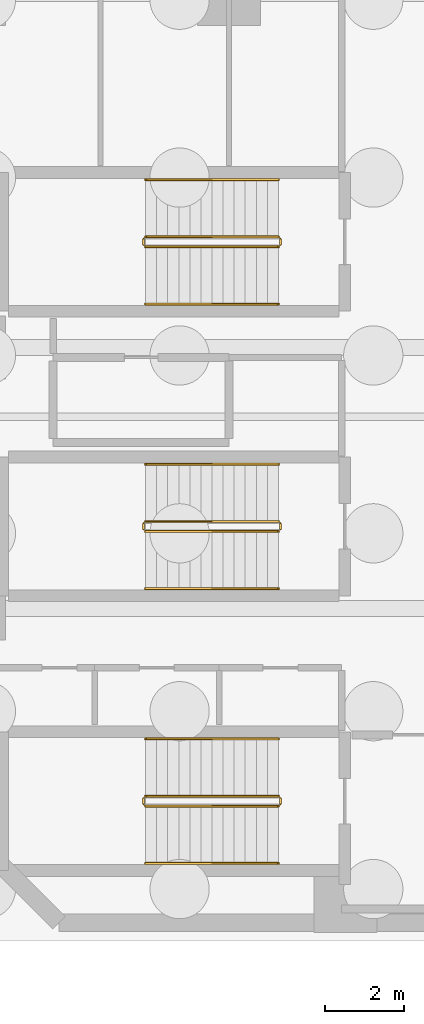
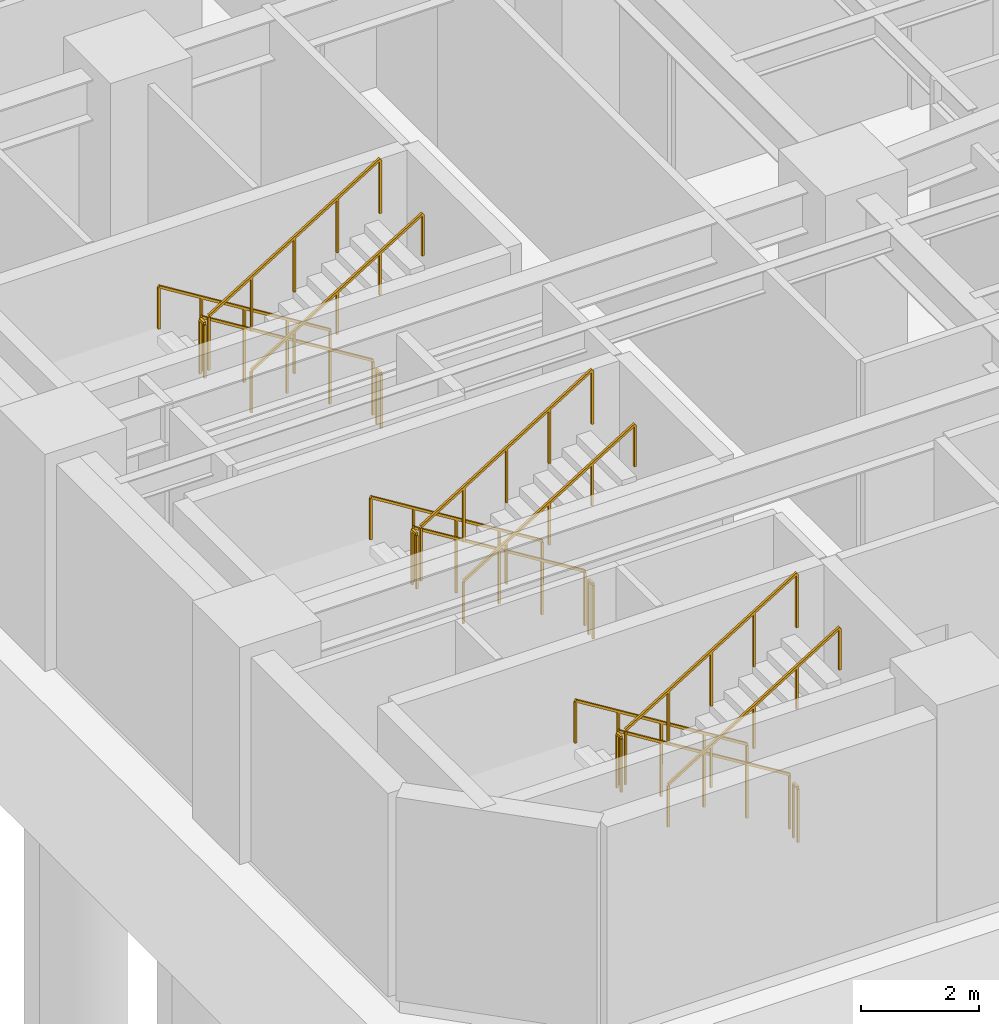
# One storey, part 6 of 10: 18 railings.
"""IFC4 building model written with IfcOpenShell, lengths in metres."""

from ifc_helpers import new_model, si_unit, direction, frame, origin, origin_2d, place, context, subcontext, project, spatial, rectangle, extrude, material, type_object, element, save


model = new_model("IFC4")

# Units and contexts
model_context = context("Model", 3, precision=1e-05, world=origin(), true_north=direction((0.0, 1.0)))
body_context = subcontext(model_context, "Body", "Model", "MODEL_VIEW")
ifc_project = project(units=[si_unit("LENGTHUNIT", "METRE"), si_unit("AREAUNIT", "SQUARE_METRE"), si_unit("VOLUMEUNIT", "CUBIC_METRE"), si_unit("PLANEANGLEUNIT", "RADIAN"), si_unit("MASSUNIT", "GRAM", prefix="KILO")], contexts=[model_context])

# Site, building, storey
site_placement = place(None, origin())
site = spatial("IfcSite", under=ifc_project, at=site_placement, CompositionType="ELEMENT")
building_placement = place(site_placement, origin())
building = spatial("IfcBuilding", under=site, at=building_placement, Name="Mawjaban Terraces University", CompositionType="ELEMENT")
storey_placement = place(building_placement, frame((0.0, 0.0, -9.0)))
storey = spatial("IfcBuildingStorey", under=building, at=storey_placement, Name="B2", CompositionType="ELEMENT", Elevation=-9.0)

# Railings
ifc_material_1 = material(Name="Brushed stainless steel 316", Category="steel")
railing_type_1 = type_object("IfcRailingType", Name="StairWallHandrail_900", PredefinedType="HANDRAIL", material=ifc_material_1)
railing_1_placement = place(storey_placement, frame((30.050048828125, 4.64990234375, 0.173095703125)))
element("IfcRailing", 1, at=railing_1_placement, inside=storey, type_object=railing_type_1, Name="B2 ST-1 stair handrail 1", PredefinedType="HANDRAIL", context=body_context, shape_type="SweptSolid", body=[
    extrude(rectangle(XDim=0.048095703125, YDim=0.048095703125, at=origin_2d()), frame((0.0, 0.0, 0.8759765625), z_axis=(-0.850623216509, 0.0, 0.525775754039), x_axis=(0.0, -1.0, 0.0)), (0.0, 0.0, 1.0), 3.9501953125),
    extrude(rectangle(XDim=0.0419921875, YDim=0.0419921875, at=origin_2d()), origin(), (0.0, 0.0, 1.0), 0.851806640625),
    extrude(rectangle(XDim=0.0419921875, YDim=0.0419921875, at=origin_2d()), frame((-0.840087890625, 0.0, 0.519287109375)), (0.0, 0.0, 1.0), 0.851806640625),
    extrude(rectangle(XDim=0.0419921875, YDim=0.0419921875, at=origin_2d()), frame((-1.68017578125, 0.0, 1.03857421875)), (0.0, 0.0, 1.0), 0.851806640625),
    extrude(rectangle(XDim=0.0419921875, YDim=0.0419921875, at=origin_2d()), frame((-2.52001953125, 0.0, 1.5576171875)), (0.0, 0.0, 1.0), 0.851806640625),
    extrude(rectangle(XDim=0.0419921875, YDim=0.0419921875, at=origin_2d()), frame((-3.360107421875, 0.0, 2.076904296875)), (0.0, 0.0, 1.0), 0.851806640625),
])
railing_2_placement = place(storey_placement, frame((26.68994140625, 1.5, 2.423095703125)))
element("IfcRailing", 2, at=railing_2_placement, inside=storey, type_object=railing_type_1, Name="B2 ST-1 stair handrail 2", PredefinedType="HANDRAIL", context=body_context, shape_type="SweptSolid", body=[
    extrude(rectangle(XDim=0.048095703125, YDim=0.048095703125, at=origin_2d()), frame((0.0, 0.0, 0.8759765625), z_axis=(0.850623216509, 0.0, 0.525775754039), x_axis=(0.0, 1.0, 0.0)), (0.0, 0.0, 1.0), 3.9501953125),
    extrude(rectangle(XDim=0.0419921875, YDim=0.0419921875, at=origin_2d()), origin(), (0.0, 0.0, 1.0), 0.851806640625),
    extrude(rectangle(XDim=0.0419921875, YDim=0.0419921875, at=origin_2d()), frame((0.840087890625, 0.0, 0.519287109375)), (0.0, 0.0, 1.0), 0.851806640625),
    extrude(rectangle(XDim=0.0419921875, YDim=0.0419921875, at=origin_2d()), frame((1.68017578125, 0.0, 1.03857421875)), (0.0, 0.0, 1.0), 0.851806640625),
    extrude(rectangle(XDim=0.0419921875, YDim=0.0419921875, at=origin_2d()), frame((2.52001953125, 0.0, 1.5576171875)), (0.0, 0.0, 1.0), 0.851806640625),
    extrude(rectangle(XDim=0.0419921875, YDim=0.0419921875, at=origin_2d()), frame((3.360107421875, 0.0, 2.076904296875)), (0.0, 0.0, 1.0), 0.851806640625),
])
railing_3_placement = place(storey_placement, frame((30.050048828125, 18.800048828125, 0.173095703125)))
element("IfcRailing", 3, at=railing_3_placement, inside=storey, type_object=railing_type_1, Name="B2 ST-2 stair handrail 1", PredefinedType="HANDRAIL", context=body_context, shape_type="SweptSolid", body=[
    extrude(rectangle(XDim=0.048095703125, YDim=0.048095703125, at=origin_2d()), frame((0.0, 0.0, 0.8759765625), z_axis=(-0.850623216509, 0.0, 0.525775754039), x_axis=(0.0, -1.0, 0.0)), (0.0, 0.0, 1.0), 3.9501953125),
    extrude(rectangle(XDim=0.0419921875, YDim=0.0419921875, at=origin_2d()), origin(), (0.0, 0.0, 1.0), 0.851806640625),
    extrude(rectangle(XDim=0.0419921875, YDim=0.0419921875, at=origin_2d()), frame((-0.840087890625, 0.0, 0.519287109375)), (0.0, 0.0, 1.0), 0.851806640625),
    extrude(rectangle(XDim=0.0419921875, YDim=0.0419921875, at=origin_2d()), frame((-1.68017578125, 0.0, 1.03857421875)), (0.0, 0.0, 1.0), 0.851806640625),
    extrude(rectangle(XDim=0.0419921875, YDim=0.0419921875, at=origin_2d()), frame((-2.52001953125, 0.0, 1.5576171875)), (0.0, 0.0, 1.0), 0.851806640625),
    extrude(rectangle(XDim=0.0419921875, YDim=0.0419921875, at=origin_2d()), frame((-3.360107421875, 0.0, 2.076904296875)), (0.0, 0.0, 1.0), 0.851806640625),
])
railing_4_placement = place(storey_placement, frame((26.68994140625, 15.64990234375, 2.423095703125)))
element("IfcRailing", 4, at=railing_4_placement, inside=storey, type_object=railing_type_1, Name="B2 ST-2 stair handrail 2", PredefinedType="HANDRAIL", context=body_context, shape_type="SweptSolid", body=[
    extrude(rectangle(XDim=0.048095703125, YDim=0.048095703125, at=origin_2d()), frame((0.0, 0.0, 0.8759765625), z_axis=(0.850623216509, 0.0, 0.525775754039), x_axis=(0.0, 1.0, 0.0)), (0.0, 0.0, 1.0), 3.9501953125),
    extrude(rectangle(XDim=0.0419921875, YDim=0.0419921875, at=origin_2d()), origin(), (0.0, 0.0, 1.0), 0.851806640625),
    extrude(rectangle(XDim=0.0419921875, YDim=0.0419921875, at=origin_2d()), frame((0.840087890625, 0.0, 0.519287109375)), (0.0, 0.0, 1.0), 0.851806640625),
    extrude(rectangle(XDim=0.0419921875, YDim=0.0419921875, at=origin_2d()), frame((1.68017578125, 0.0, 1.03857421875)), (0.0, 0.0, 1.0), 0.851806640625),
    extrude(rectangle(XDim=0.0419921875, YDim=0.0419921875, at=origin_2d()), frame((2.52001953125, 0.0, 1.5576171875)), (0.0, 0.0, 1.0), 0.851806640625),
    extrude(rectangle(XDim=0.0419921875, YDim=0.0419921875, at=origin_2d()), frame((3.360107421875, 0.0, 2.076904296875)), (0.0, 0.0, 1.0), 0.851806640625),
])
railing_5_placement = place(storey_placement, frame((30.050048828125, 11.60009765625, 0.173095703125)))
element("IfcRailing", 5, at=railing_5_placement, inside=storey, type_object=railing_type_1, Name="B2 ST-3 stair handrail 1", PredefinedType="HANDRAIL", context=body_context, shape_type="SweptSolid", body=[
    extrude(rectangle(XDim=0.048095703125, YDim=0.048095703125, at=origin_2d()), frame((0.0, 0.0, 0.8759765625), z_axis=(-0.850623216509, 0.0, 0.525775754039), x_axis=(0.0, -1.0, 0.0)), (0.0, 0.0, 1.0), 3.9501953125),
    extrude(rectangle(XDim=0.0419921875, YDim=0.0419921875, at=origin_2d()), origin(), (0.0, 0.0, 1.0), 0.851806640625),
    extrude(rectangle(XDim=0.0419921875, YDim=0.0419921875, at=origin_2d()), frame((-0.840087890625, 0.0, 0.519287109375)), (0.0, 0.0, 1.0), 0.851806640625),
    extrude(rectangle(XDim=0.0419921875, YDim=0.0419921875, at=origin_2d()), frame((-1.68017578125, 0.0, 1.03857421875)), (0.0, 0.0, 1.0), 0.851806640625),
    extrude(rectangle(XDim=0.0419921875, YDim=0.0419921875, at=origin_2d()), frame((-2.52001953125, 0.0, 1.5576171875)), (0.0, 0.0, 1.0), 0.851806640625),
    extrude(rectangle(XDim=0.0419921875, YDim=0.0419921875, at=origin_2d()), frame((-3.360107421875, 0.0, 2.076904296875)), (0.0, 0.0, 1.0), 0.851806640625),
])
railing_6_placement = place(storey_placement, frame((26.68994140625, 8.449951171875, 2.423095703125)))
element("IfcRailing", 6, at=railing_6_placement, inside=storey, type_object=railing_type_1, Name="B2 ST-3 stair handrail 2", PredefinedType="HANDRAIL", context=body_context, shape_type="SweptSolid", body=[
    extrude(rectangle(XDim=0.048095703125, YDim=0.048095703125, at=origin_2d()), frame((0.0, 0.0, 0.8759765625), z_axis=(0.850623216509, 0.0, 0.525775754039), x_axis=(0.0, 1.0, 0.0)), (0.0, 0.0, 1.0), 3.9501953125),
    extrude(rectangle(XDim=0.0419921875, YDim=0.0419921875, at=origin_2d()), origin(), (0.0, 0.0, 1.0), 0.851806640625),
    extrude(rectangle(XDim=0.0419921875, YDim=0.0419921875, at=origin_2d()), frame((0.840087890625, 0.0, 0.519287109375)), (0.0, 0.0, 1.0), 0.851806640625),
    extrude(rectangle(XDim=0.0419921875, YDim=0.0419921875, at=origin_2d()), frame((1.68017578125, 0.0, 1.03857421875)), (0.0, 0.0, 1.0), 0.851806640625),
    extrude(rectangle(XDim=0.0419921875, YDim=0.0419921875, at=origin_2d()), frame((2.52001953125, 0.0, 1.5576171875)), (0.0, 0.0, 1.0), 0.851806640625),
    extrude(rectangle(XDim=0.0419921875, YDim=0.0419921875, at=origin_2d()), frame((3.360107421875, 0.0, 2.076904296875)), (0.0, 0.0, 1.0), 0.851806640625),
])
ifc_material_2 = material(Name="Galvanised painted steel S355", Category="steel")
railing_type_2 = type_object("IfcRailingType", Name="StairWellGuard_1150", PredefinedType="BALUSTRADE", material=ifc_material_2)
railing_7_placement = place(storey_placement, frame((30.050048828125, 3.199951171875, 0.173095703125)))
element("IfcRailing", 7, at=railing_7_placement, inside=storey, type_object=railing_type_2, Name="B2 ST-1 stair guard 1", PredefinedType="BALUSTRADE", context=body_context, shape_type="SweptSolid", body=[
    extrude(rectangle(XDim=0.048095703125, YDim=0.048095703125, at=origin_2d()), frame((0.0, 0.0, 1.1259765625), z_axis=(-0.850623216509, 0.0, 0.525775754039), x_axis=(0.0, -1.0, 0.0)), (0.0, 0.0, 1.0), 3.9501953125),
    extrude(rectangle(XDim=0.0419921875, YDim=0.0419921875, at=origin_2d()), origin(), (0.0, 0.0, 1.0), 1.101806640625),
    extrude(rectangle(XDim=0.0419921875, YDim=0.0419921875, at=origin_2d()), frame((-0.840087890625, 0.0, 0.519287109375)), (0.0, 0.0, 1.0), 1.101806640625),
    extrude(rectangle(XDim=0.0419921875, YDim=0.0419921875, at=origin_2d()), frame((-1.68017578125, 0.0, 1.03857421875)), (0.0, 0.0, 1.0), 1.101806640625),
    extrude(rectangle(XDim=0.0419921875, YDim=0.0419921875, at=origin_2d()), frame((-2.52001953125, 0.0, 1.5576171875)), (0.0, 0.0, 1.0), 1.101806640625),
    extrude(rectangle(XDim=0.0419921875, YDim=0.0419921875, at=origin_2d()), frame((-3.360107421875, 0.0, 2.076904296875)), (0.0, 0.0, 1.0), 1.101806640625),
])
railing_8_placement = place(storey_placement, frame((26.639892578125, 3.14990234375, 2.25)))
element("IfcRailing", 8, at=railing_8_placement, inside=storey, type_object=railing_type_2, Name="B2 ST-1 stair guard 2", PredefinedType="BALUSTRADE", context=body_context, shape_type="SweptSolid", body=[
    extrude(rectangle(XDim=0.048095703125, YDim=0.048095703125, at=origin_2d()), frame((0.0, 0.0, 1.1259765625), z_axis=(0.0, -1.0, 0.0), x_axis=(1.0, 0.0, 0.0)), (0.0, 0.0, 1.0), 0.14990234375),
    extrude(rectangle(XDim=0.0419921875, YDim=0.0419921875, at=origin_2d()), origin(), (0.0, 0.0, 1.0), 1.101806640625),
    extrude(rectangle(XDim=0.0419921875, YDim=0.0419921875, at=origin_2d()), frame((0.0, -0.14990234375, 0.0)), (0.0, 0.0, 1.0), 1.101806640625),
])
railing_9_placement = place(storey_placement, frame((26.68994140625, 2.949951171875, 2.423095703125)))
element("IfcRailing", 9, at=railing_9_placement, inside=storey, type_object=railing_type_2, Name="B2 ST-1 stair guard 3", PredefinedType="BALUSTRADE", context=body_context, shape_type="SweptSolid", body=[
    extrude(rectangle(XDim=0.048095703125, YDim=0.048095703125, at=origin_2d()), frame((0.0, 0.0, 1.1259765625), z_axis=(0.850623216509, 0.0, 0.525775754039), x_axis=(0.0, 1.0, 0.0)), (0.0, 0.0, 1.0), 3.9501953125),
    extrude(rectangle(XDim=0.0419921875, YDim=0.0419921875, at=origin_2d()), origin(), (0.0, 0.0, 1.0), 1.101806640625),
    extrude(rectangle(XDim=0.0419921875, YDim=0.0419921875, at=origin_2d()), frame((0.840087890625, 0.0, 0.519287109375)), (0.0, 0.0, 1.0), 1.101806640625),
    extrude(rectangle(XDim=0.0419921875, YDim=0.0419921875, at=origin_2d()), frame((1.68017578125, 0.0, 1.03857421875)), (0.0, 0.0, 1.0), 1.101806640625),
    extrude(rectangle(XDim=0.0419921875, YDim=0.0419921875, at=origin_2d()), frame((2.52001953125, 0.0, 1.5576171875)), (0.0, 0.0, 1.0), 1.101806640625),
    extrude(rectangle(XDim=0.0419921875, YDim=0.0419921875, at=origin_2d()), frame((3.360107421875, 0.0, 2.076904296875)), (0.0, 0.0, 1.0), 1.101806640625),
])
railing_10_placement = place(storey_placement, frame((30.10009765625, 3.14990234375, 0.0)))
element("IfcRailing", 10, at=railing_10_placement, inside=storey, type_object=railing_type_2, Name="B2 ST-1 stair guard 4", PredefinedType="BALUSTRADE", context=body_context, shape_type="SweptSolid", body=[
    extrude(rectangle(XDim=0.048095703125, YDim=0.048095703125, at=origin_2d()), frame((0.0, 0.0, 1.1259765625), z_axis=(0.0, -1.0, 0.0), x_axis=(1.0, 0.0, 0.0)), (0.0, 0.0, 1.0), 0.14990234375),
    extrude(rectangle(XDim=0.0419921875, YDim=0.0419921875, at=origin_2d()), origin(), (0.0, 0.0, 1.0), 1.101806640625),
    extrude(rectangle(XDim=0.0419921875, YDim=0.0419921875, at=origin_2d()), frame((0.0, -0.14990234375, 0.0)), (0.0, 0.0, 1.0), 1.101806640625),
])
railing_11_placement = place(storey_placement, frame((30.050048828125, 17.35009765625, 0.173095703125)))
element("IfcRailing", 11, at=railing_11_placement, inside=storey, type_object=railing_type_2, Name="B2 ST-2 stair guard 1", PredefinedType="BALUSTRADE", context=body_context, shape_type="SweptSolid", body=[
    extrude(rectangle(XDim=0.048095703125, YDim=0.048095703125, at=origin_2d()), frame((0.0, 0.0, 1.1259765625), z_axis=(-0.850623216509, 0.0, 0.525775754039), x_axis=(0.0, -1.0, 0.0)), (0.0, 0.0, 1.0), 3.9501953125),
    extrude(rectangle(XDim=0.0419921875, YDim=0.0419921875, at=origin_2d()), origin(), (0.0, 0.0, 1.0), 1.101806640625),
    extrude(rectangle(XDim=0.0419921875, YDim=0.0419921875, at=origin_2d()), frame((-0.840087890625, 0.0, 0.519287109375)), (0.0, 0.0, 1.0), 1.101806640625),
    extrude(rectangle(XDim=0.0419921875, YDim=0.0419921875, at=origin_2d()), frame((-1.68017578125, 0.0, 1.03857421875)), (0.0, 0.0, 1.0), 1.101806640625),
    extrude(rectangle(XDim=0.0419921875, YDim=0.0419921875, at=origin_2d()), frame((-2.52001953125, 0.0, 1.5576171875)), (0.0, 0.0, 1.0), 1.101806640625),
    extrude(rectangle(XDim=0.0419921875, YDim=0.0419921875, at=origin_2d()), frame((-3.360107421875, 0.0, 2.076904296875)), (0.0, 0.0, 1.0), 1.101806640625),
])
railing_12_placement = place(storey_placement, frame((26.639892578125, 17.300048828125, 2.25)))
element("IfcRailing", 12, at=railing_12_placement, inside=storey, type_object=railing_type_2, Name="B2 ST-2 stair guard 2", PredefinedType="BALUSTRADE", context=body_context, shape_type="SweptSolid", body=[
    extrude(rectangle(XDim=0.048095703125, YDim=0.048095703125, at=origin_2d()), frame((0.0, 0.0, 1.1259765625), z_axis=(0.0, -1.0, 0.0), x_axis=(1.0, 0.0, 0.0)), (0.0, 0.0, 1.0), 0.150146484375),
    extrude(rectangle(XDim=0.0419921875, YDim=0.0419921875, at=origin_2d()), origin(), (0.0, 0.0, 1.0), 1.101806640625),
    extrude(rectangle(XDim=0.0419921875, YDim=0.0419921875, at=origin_2d()), frame((0.0, -0.150146484375, 0.0)), (0.0, 0.0, 1.0), 1.101806640625),
])
railing_13_placement = place(storey_placement, frame((26.68994140625, 17.10009765625, 2.423095703125)))
element("IfcRailing", 13, at=railing_13_placement, inside=storey, type_object=railing_type_2, Name="B2 ST-2 stair guard 3", PredefinedType="BALUSTRADE", context=body_context, shape_type="SweptSolid", body=[
    extrude(rectangle(XDim=0.048095703125, YDim=0.048095703125, at=origin_2d()), frame((0.0, 0.0, 1.1259765625), z_axis=(0.850623216509, 0.0, 0.525775754039), x_axis=(0.0, 1.0, 0.0)), (0.0, 0.0, 1.0), 3.9501953125),
    extrude(rectangle(XDim=0.0419921875, YDim=0.0419921875, at=origin_2d()), origin(), (0.0, 0.0, 1.0), 1.101806640625),
    extrude(rectangle(XDim=0.0419921875, YDim=0.0419921875, at=origin_2d()), frame((0.840087890625, 0.0, 0.519287109375)), (0.0, 0.0, 1.0), 1.101806640625),
    extrude(rectangle(XDim=0.0419921875, YDim=0.0419921875, at=origin_2d()), frame((1.68017578125, 0.0, 1.03857421875)), (0.0, 0.0, 1.0), 1.101806640625),
    extrude(rectangle(XDim=0.0419921875, YDim=0.0419921875, at=origin_2d()), frame((2.52001953125, 0.0, 1.5576171875)), (0.0, 0.0, 1.0), 1.101806640625),
    extrude(rectangle(XDim=0.0419921875, YDim=0.0419921875, at=origin_2d()), frame((3.360107421875, 0.0, 2.076904296875)), (0.0, 0.0, 1.0), 1.101806640625),
])
railing_14_placement = place(storey_placement, frame((30.10009765625, 17.300048828125, 0.0)))
element("IfcRailing", 14, at=railing_14_placement, inside=storey, type_object=railing_type_2, Name="B2 ST-2 stair guard 4", PredefinedType="BALUSTRADE", context=body_context, shape_type="SweptSolid", body=[
    extrude(rectangle(XDim=0.048095703125, YDim=0.048095703125, at=origin_2d()), frame((0.0, 0.0, 1.1259765625), z_axis=(0.0, -1.0, 0.0), x_axis=(1.0, 0.0, 0.0)), (0.0, 0.0, 1.0), 0.150146484375),
    extrude(rectangle(XDim=0.0419921875, YDim=0.0419921875, at=origin_2d()), origin(), (0.0, 0.0, 1.0), 1.101806640625),
    extrude(rectangle(XDim=0.0419921875, YDim=0.0419921875, at=origin_2d()), frame((0.0, -0.150146484375, 0.0)), (0.0, 0.0, 1.0), 1.101806640625),
])
railing_15_placement = place(storey_placement, frame((30.050048828125, 10.14990234375, 0.173095703125)))
element("IfcRailing", 15, at=railing_15_placement, inside=storey, type_object=railing_type_2, Name="B2 ST-3 stair guard 1", PredefinedType="BALUSTRADE", context=body_context, shape_type="SweptSolid", body=[
    extrude(rectangle(XDim=0.048095703125, YDim=0.048095703125, at=origin_2d()), frame((0.0, 0.0, 1.1259765625), z_axis=(-0.850623216509, 0.0, 0.525775754039), x_axis=(0.0, -1.0, 0.0)), (0.0, 0.0, 1.0), 3.9501953125),
    extrude(rectangle(XDim=0.0419921875, YDim=0.0419921875, at=origin_2d()), origin(), (0.0, 0.0, 1.0), 1.101806640625),
    extrude(rectangle(XDim=0.0419921875, YDim=0.0419921875, at=origin_2d()), frame((-0.840087890625, 0.0, 0.519287109375)), (0.0, 0.0, 1.0), 1.101806640625),
    extrude(rectangle(XDim=0.0419921875, YDim=0.0419921875, at=origin_2d()), frame((-1.68017578125, 0.0, 1.03857421875)), (0.0, 0.0, 1.0), 1.101806640625),
    extrude(rectangle(XDim=0.0419921875, YDim=0.0419921875, at=origin_2d()), frame((-2.52001953125, 0.0, 1.5576171875)), (0.0, 0.0, 1.0), 1.101806640625),
    extrude(rectangle(XDim=0.0419921875, YDim=0.0419921875, at=origin_2d()), frame((-3.360107421875, 0.0, 2.076904296875)), (0.0, 0.0, 1.0), 1.101806640625),
])
railing_16_placement = place(storey_placement, frame((26.639892578125, 10.10009765625, 2.25)))
element("IfcRailing", 16, at=railing_16_placement, inside=storey, type_object=railing_type_2, Name="B2 ST-3 stair guard 2", PredefinedType="BALUSTRADE", context=body_context, shape_type="SweptSolid", body=[
    extrude(rectangle(XDim=0.048095703125, YDim=0.048095703125, at=origin_2d()), frame((0.0, 0.0, 1.1259765625), z_axis=(0.0, -1.0, 0.0), x_axis=(1.0, 0.0, 0.0)), (0.0, 0.0, 1.0), 0.150146484375),
    extrude(rectangle(XDim=0.0419921875, YDim=0.0419921875, at=origin_2d()), origin(), (0.0, 0.0, 1.0), 1.101806640625),
    extrude(rectangle(XDim=0.0419921875, YDim=0.0419921875, at=origin_2d()), frame((0.0, -0.150146484375, 0.0)), (0.0, 0.0, 1.0), 1.101806640625),
])
railing_17_placement = place(storey_placement, frame((26.68994140625, 9.89990234375, 2.423095703125)))
element("IfcRailing", 17, at=railing_17_placement, inside=storey, type_object=railing_type_2, Name="B2 ST-3 stair guard 3", PredefinedType="BALUSTRADE", context=body_context, shape_type="SweptSolid", body=[
    extrude(rectangle(XDim=0.048095703125, YDim=0.048095703125, at=origin_2d()), frame((0.0, 0.0, 1.1259765625), z_axis=(0.850623216509, 0.0, 0.525775754039), x_axis=(0.0, 1.0, 0.0)), (0.0, 0.0, 1.0), 3.9501953125),
    extrude(rectangle(XDim=0.0419921875, YDim=0.0419921875, at=origin_2d()), origin(), (0.0, 0.0, 1.0), 1.101806640625),
    extrude(rectangle(XDim=0.0419921875, YDim=0.0419921875, at=origin_2d()), frame((0.840087890625, 0.0, 0.519287109375)), (0.0, 0.0, 1.0), 1.101806640625),
    extrude(rectangle(XDim=0.0419921875, YDim=0.0419921875, at=origin_2d()), frame((1.68017578125, 0.0, 1.03857421875)), (0.0, 0.0, 1.0), 1.101806640625),
    extrude(rectangle(XDim=0.0419921875, YDim=0.0419921875, at=origin_2d()), frame((2.52001953125, 0.0, 1.5576171875)), (0.0, 0.0, 1.0), 1.101806640625),
    extrude(rectangle(XDim=0.0419921875, YDim=0.0419921875, at=origin_2d()), frame((3.360107421875, 0.0, 2.076904296875)), (0.0, 0.0, 1.0), 1.101806640625),
])
railing_18_placement = place(storey_placement, frame((30.10009765625, 10.10009765625, 0.0)))
element("IfcRailing", 18, at=railing_18_placement, inside=storey, type_object=railing_type_2, Name="B2 ST-3 stair guard 4", PredefinedType="BALUSTRADE", context=body_context, shape_type="SweptSolid", body=[
    extrude(rectangle(XDim=0.048095703125, YDim=0.048095703125, at=origin_2d()), frame((0.0, 0.0, 1.1259765625), z_axis=(0.0, -1.0, 0.0), x_axis=(1.0, 0.0, 0.0)), (0.0, 0.0, 1.0), 0.150146484375),
    extrude(rectangle(XDim=0.0419921875, YDim=0.0419921875, at=origin_2d()), origin(), (0.0, 0.0, 1.0), 1.101806640625),
    extrude(rectangle(XDim=0.0419921875, YDim=0.0419921875, at=origin_2d()), frame((0.0, -0.150146484375, 0.0)), (0.0, 0.0, 1.0), 1.101806640625),
])

save(model, "model.ifc")
